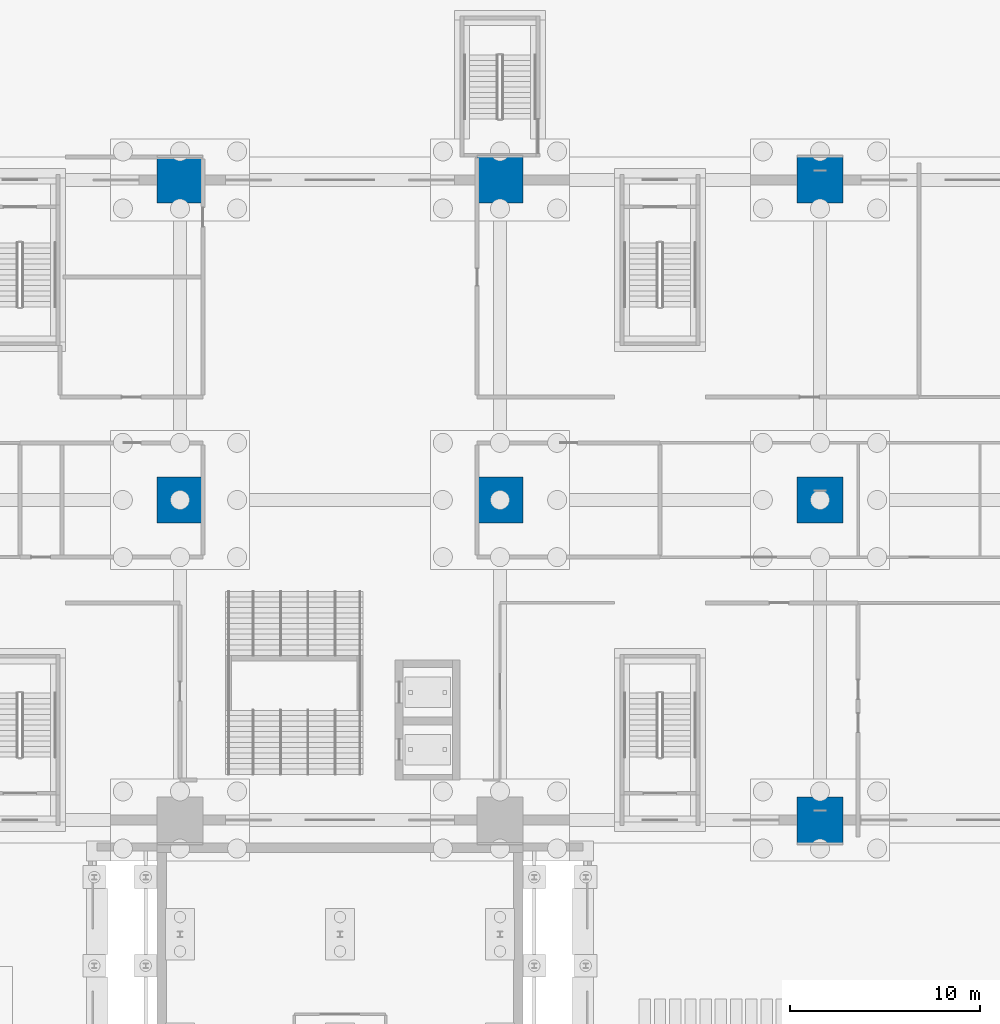
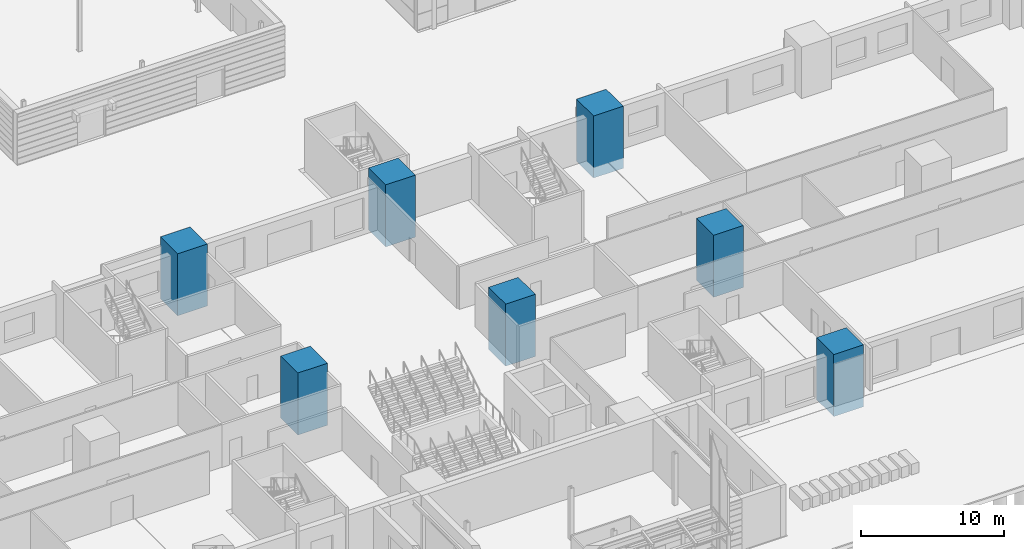
# One storey, part 13 of 139: 7 columns.
"""IFC4 building model written with IfcOpenShell, lengths in metres."""

from ifc_helpers import new_model, si_unit, direction, frame, origin, origin_2d, place, context, subcontext, project, spatial, rectangle, extrude, material, material_profile, profile_set, type_object, element, save


model = new_model("IFC4")

# Units and contexts
model_context = context("Model", 3, precision=1e-05, world=origin(), true_north=direction((0.0, 1.0)))
body_context = subcontext(model_context, "Body", "Model", "MODEL_VIEW")
ifc_project = project(units=[si_unit("LENGTHUNIT", "METRE"), si_unit("AREAUNIT", "SQUARE_METRE"), si_unit("VOLUMEUNIT", "CUBIC_METRE"), si_unit("PLANEANGLEUNIT", "RADIAN"), si_unit("MASSUNIT", "GRAM", prefix="KILO")], contexts=[model_context])

# Site, building, storey
site_placement = place(None, origin())
site = spatial("IfcSite", under=ifc_project, at=site_placement, CompositionType="ELEMENT")
building_placement = place(site_placement, origin())
building = spatial("IfcBuilding", under=site, at=building_placement, Name="Verrick Yard Athletic Hall", CompositionType="ELEMENT")
storey_placement = place(building_placement, origin())
storey = spatial("IfcBuildingStorey", under=building, at=storey_placement, Name="L00", CompositionType="ELEMENT", Elevation=0.0)

# Columns
ifc_material = material(Name="Concrete 35 MPa", Category="concrete")
ifc_material_profile = material_profile(ifc_material, rectangle(XDim=2.39990234375, YDim=2.39990234375, at=origin_2d()), Name="STR Buttress pier PR1")
ifc_profile_set = profile_set([ifc_material_profile], Name="Concrete 35 MPa")
column_type = type_object("IfcColumnType", Name="STR Buttress pier PR1", PredefinedType="COLUMN", material=ifc_profile_set)
for number, where, z_axis, x_axis, name in (
    (1, (124.0, 19.199951171875, -0.89990234375), (0.0, 0.0, 1.0), (1.0, 0.0, 0.0), "Buttress pier P6A"),
    (2, (90.39990234375, 36.0, -0.89990234375), (0.0, 0.0, 1.0), (1.0, 0.0, 0.0), "Buttress pier P4B"),
    (3, (107.199951171875, 36.0, -0.89990234375), (0.0, 0.0, 1.0), (1.0, 0.0, 0.0), "Buttress pier P5B"),
    (4, (124.0, 36.0, -0.89990234375), (0.0, 0.0, 1.0), (1.0, 0.0, 0.0), "Buttress pier P6B"),
    (5, (90.39990234375, 52.800048828125, -0.89990234375), (0.0, 0.0, 1.0), (1.0, 0.0, 0.0), "Buttress pier P4C"),
    (6, (107.199951171875, 52.800048828125, -0.89990234375), (0.0, 0.0, 1.0), (1.0, 0.0, 0.0), "Buttress pier P5C"),
    (7, (124.0, 52.800048828125, -0.89990234375), (0.0, 0.0, 1.0), (1.0, 0.0, 0.0), "Buttress pier P6C"),
):
    element("IfcColumn", number, at=place(storey_placement, frame(where, z_axis=z_axis, x_axis=x_axis)), inside=storey, type_object=column_type, Name=name, PredefinedType="COLUMN", context=body_context, shape_type="SweptSolid", body=[
        extrude(rectangle(XDim=2.39990234375, YDim=2.39990234375, at=origin_2d()), origin(), (0.0, 0.0, 1.0), 5.2998046875),
    ])

save(model, "model.ifc")
